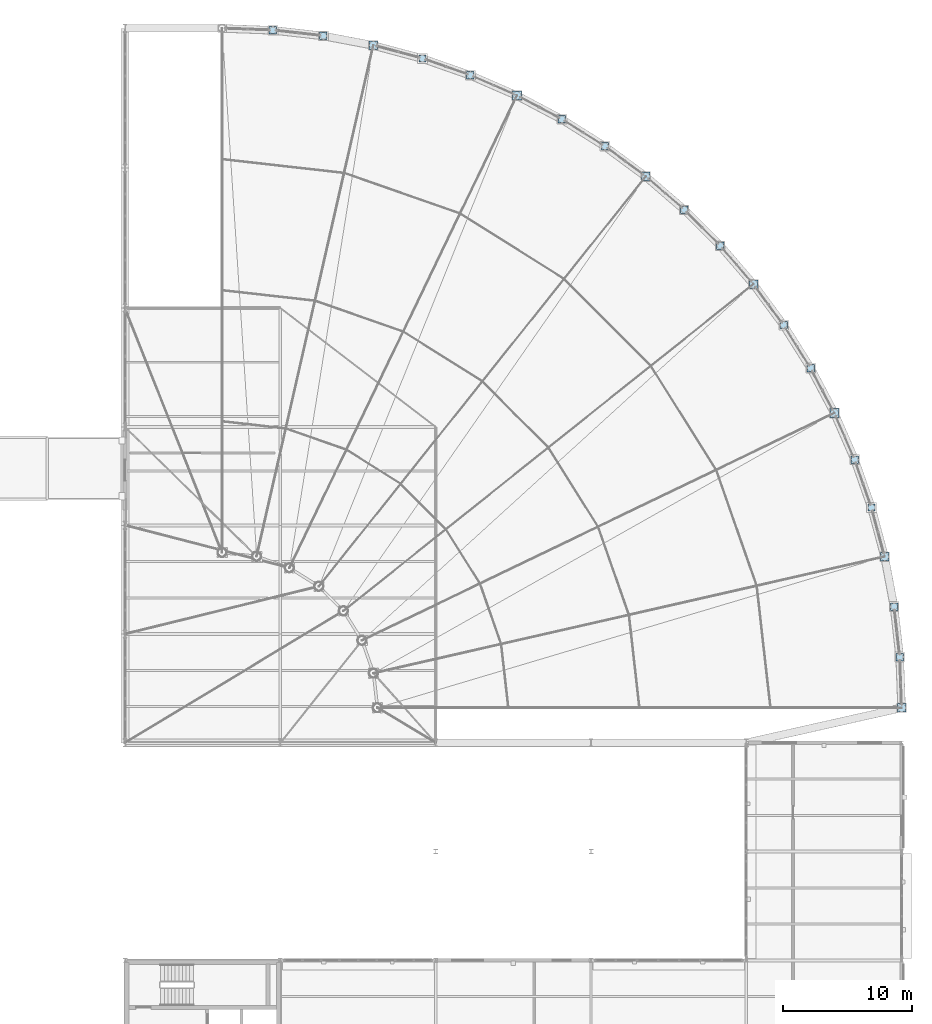
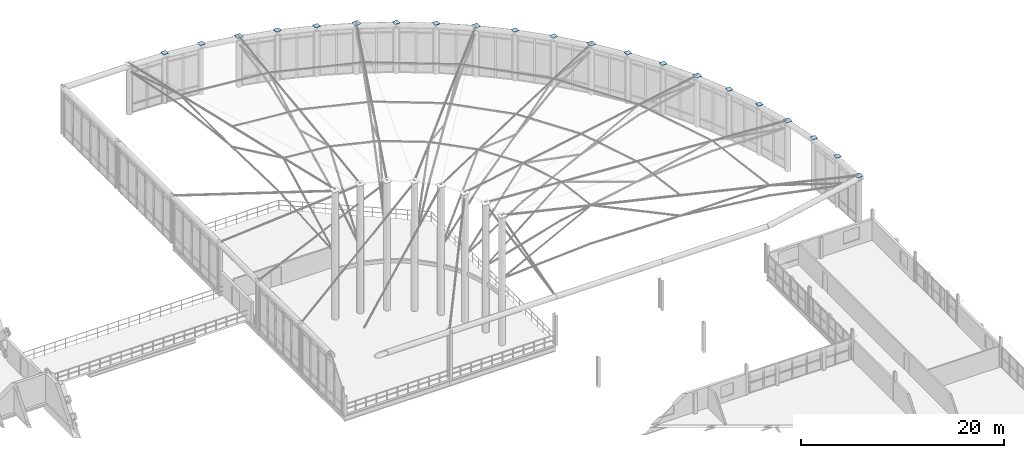
# One storey, part 83 of 101: 21 plates.
"""IFC4 building model written with IfcOpenShell, lengths in metres."""

from ifc_helpers import new_model, si_unit, direction, frame, origin, origin_2d, place, context, subcontext, project, spatial, rectangle, extrude, material, layer, layer_set, type_object, element, save


model = new_model("IFC4")

# Units and contexts
model_context = context("Model", 3, precision=1e-05, world=origin(), true_north=direction((0.0, 1.0)))
body_context = subcontext(model_context, "Body", "Model", "MODEL_VIEW")
ifc_project = project(units=[si_unit("LENGTHUNIT", "METRE"), si_unit("AREAUNIT", "SQUARE_METRE"), si_unit("VOLUMEUNIT", "CUBIC_METRE"), si_unit("PLANEANGLEUNIT", "RADIAN"), si_unit("MASSUNIT", "GRAM", prefix="KILO"), si_unit("THERMODYNAMICTEMPERATUREUNIT", "KELVIN"), si_unit("POWERUNIT", "WATT")], contexts=[model_context])

# Site, building, storey
site_placement = place(None, origin())
site = spatial("IfcSite", under=ifc_project, at=site_placement, CompositionType="ELEMENT")
building_placement = place(site_placement, origin())
building = spatial("IfcBuilding", under=site, at=building_placement, Name="Tembeka Court Mobility Hub", CompositionType="ELEMENT")
storey_placement = place(building_placement, frame((0.0, 0.0, 5.39990234375)))
storey = spatial("IfcBuildingStorey", under=building, at=storey_placement, Name="L01", CompositionType="ELEMENT", Elevation=5.39990234375)

# Plates
ifc_material = material(Name="Steel S355", Category="steel")
ifc_layer = layer(ifc_material, 0.01806640625)
ifc_layer_set = layer_set([ifc_layer], Name="Steel S355")
plate_type = type_object("IfcPlateType", Name="PL-MCP01", PredefinedType="USERDEFINED", material=ifc_layer_set)
for number, where, z_axis, x_axis, name in (
    (1, (127.8232421875, 118.6533203125, 5.9990234375), (0.0, 0.0, 1.0), (1.0, 0.0, 0.0), "Hollow column C08 top cap plate MCP01-172"),
    (2, (131.724609375, 118.213623046875, 5.9990234375), (0.0, 0.0, 1.0), (1.0, 0.0, 0.0), "Hollow column C08 top cap plate MCP01-186"),
):
    element("IfcPlate", number, at=place(storey_placement, frame(where, z_axis=z_axis, x_axis=x_axis)), inside=storey, type_object=plate_type, Name=name, ObjectType="BASE PLATE", PredefinedType="USERDEFINED", context=body_context, shape_type="SweptSolid", body=[
        extrude(rectangle(XDim=0.568115234375, YDim=0.568115234375, at=origin_2d()), origin(), (0.0, 0.0, 1.0), 0.01806640625),
    ])
plate_1_placement = place(storey_placement, frame((135.582275390625, 117.483642578125, 5.9990234375), z_axis=(0.0, 0.0, 1.0), x_axis=(1.0, 0.0, 0.0)))
element("IfcPlate", 3, at=plate_1_placement, inside=storey, type_object=plate_type, Name="Hollow column C07 top cap plate MCP01-189", ObjectType="BASE PLATE", PredefinedType="USERDEFINED", context=body_context, shape_type="SweptSolid", body=[
    extrude(rectangle(XDim=0.669921875, YDim=0.669921875, at=origin_2d()), origin(), (0.0, 0.0, 1.0), 0.01806640625),
])
for number, where, z_axis, x_axis, name in (
    (4, (139.37451171875, 116.467529296875, 5.9990234375), (0.0, 0.0, 1.0), (1.0, 0.0, 0.0), "Hollow column C08 top cap plate MCP01-192"),
    (5, (143.080322265625, 115.1708984375, 5.9990234375), (0.0, 0.0, 1.0), (1.0, 0.0, 0.0), "Hollow column C08 top cap plate MCP01-203"),
):
    element("IfcPlate", number, at=place(storey_placement, frame(where, z_axis=z_axis, x_axis=x_axis)), inside=storey, type_object=plate_type, Name=name, ObjectType="BASE PLATE", PredefinedType="USERDEFINED", context=body_context, shape_type="SweptSolid", body=[
        extrude(rectangle(XDim=0.568115234375, YDim=0.568115234375, at=origin_2d()), origin(), (0.0, 0.0, 1.0), 0.01806640625),
    ])
plate_2_placement = place(storey_placement, frame((146.678955078125, 113.600830078125, 5.9990234375), z_axis=(0.0, 0.0, 1.0), x_axis=(1.0, 0.0, 0.0)))
element("IfcPlate", 6, at=plate_2_placement, inside=storey, type_object=plate_type, Name="Hollow column C07 top cap plate MCP01-204", ObjectType="BASE PLATE", PredefinedType="USERDEFINED", context=body_context, shape_type="SweptSolid", body=[
    extrude(rectangle(XDim=0.669921875, YDim=0.669921875, at=origin_2d()), origin(), (0.0, 0.0, 1.0), 0.01806640625),
])
for number, where, z_axis, x_axis, name in (
    (7, (150.14990234375, 111.766357421875, 5.9990234375), (0.0, 0.0, 1.0), (1.0, 0.0, 0.0), "Hollow column C08 top cap plate MCP01-205"),
    (8, (153.474365234375, 109.677490234375, 5.9990234375), (0.0, 0.0, 1.0), (1.0, 0.0, 0.0), "Hollow column C08 top cap plate MCP01-216"),
):
    element("IfcPlate", number, at=place(storey_placement, frame(where, z_axis=z_axis, x_axis=x_axis)), inside=storey, type_object=plate_type, Name=name, ObjectType="BASE PLATE", PredefinedType="USERDEFINED", context=body_context, shape_type="SweptSolid", body=[
        extrude(rectangle(XDim=0.568115234375, YDim=0.568115234375, at=origin_2d()), origin(), (0.0, 0.0, 1.0), 0.01806640625),
    ])
plate_3_placement = place(storey_placement, frame((156.63330078125, 107.34619140625, 5.9990234375), z_axis=(0.0, 0.0, 1.0), x_axis=(1.0, 0.0, 0.0)))
element("IfcPlate", 9, at=plate_3_placement, inside=storey, type_object=plate_type, Name="Hollow column C07 top cap plate MCP01-217", ObjectType="BASE PLATE", PredefinedType="USERDEFINED", context=body_context, shape_type="SweptSolid", body=[
    extrude(rectangle(XDim=0.669921875, YDim=0.669921875, at=origin_2d()), origin(), (0.0, 0.0, 1.0), 0.01806640625),
])
for number, where, z_axis, x_axis, name in (
    (10, (159.609130859375, 104.78515625, 5.9990234375), (0.0, 0.0, 1.0), (1.0, 0.0, 0.0), "Hollow column C08 top cap plate MCP01-218"),
    (11, (162.38525390625, 102.009033203125, 5.9990234375), (0.0, 0.0, 1.0), (1.0, 0.0, 0.0), "Hollow column C08 top cap plate MCP01-219"),
):
    element("IfcPlate", number, at=place(storey_placement, frame(where, z_axis=z_axis, x_axis=x_axis)), inside=storey, type_object=plate_type, Name=name, ObjectType="BASE PLATE", PredefinedType="USERDEFINED", context=body_context, shape_type="SweptSolid", body=[
        extrude(rectangle(XDim=0.568115234375, YDim=0.568115234375, at=origin_2d()), origin(), (0.0, 0.0, 1.0), 0.01806640625),
    ])
plate_4_placement = place(storey_placement, frame((164.9462890625, 99.033203125, 5.9990234375), z_axis=(0.0, 0.0, 1.0), x_axis=(1.0, 0.0, 0.0)))
element("IfcPlate", 12, at=plate_4_placement, inside=storey, type_object=plate_type, Name="Hollow column C07 top cap plate MCP01-230", ObjectType="BASE PLATE", PredefinedType="USERDEFINED", context=body_context, shape_type="SweptSolid", body=[
    extrude(rectangle(XDim=0.669921875, YDim=0.669921875, at=origin_2d()), origin(), (0.0, 0.0, 1.0), 0.01806640625),
])
for number, where, z_axis, x_axis, name in (
    (13, (167.277587890625, 95.874267578125, 5.9990234375), (0.0, 0.0, 1.0), (1.0, 0.0, 0.0), "Hollow column C08 top cap plate MCP01-231"),
    (14, (169.3662109375, 92.550048828125, 5.9990234375), (0.0, 0.0, 1.0), (1.0, 0.0, 0.0), "Hollow column C08 top cap plate MCP01-232"),
):
    element("IfcPlate", number, at=place(storey_placement, frame(where, z_axis=z_axis, x_axis=x_axis)), inside=storey, type_object=plate_type, Name=name, ObjectType="BASE PLATE", PredefinedType="USERDEFINED", context=body_context, shape_type="SweptSolid", body=[
        extrude(rectangle(XDim=0.568115234375, YDim=0.568115234375, at=origin_2d()), origin(), (0.0, 0.0, 1.0), 0.01806640625),
    ])
plate_5_placement = place(storey_placement, frame((171.200927734375, 89.078857421875, 5.9990234375), z_axis=(0.0, 0.0, 1.0), x_axis=(1.0, 0.0, 0.0)))
element("IfcPlate", 15, at=plate_5_placement, inside=storey, type_object=plate_type, Name="Hollow column C07 top cap plate MCP01-233", ObjectType="BASE PLATE", PredefinedType="USERDEFINED", context=body_context, shape_type="SweptSolid", body=[
    extrude(rectangle(XDim=0.669921875, YDim=0.669921875, at=origin_2d()), origin(), (0.0, 0.0, 1.0), 0.01806640625),
])
for number, where, z_axis, x_axis, name in (
    (16, (172.77099609375, 85.48046875, 5.9990234375), (0.0, 0.0, 1.0), (1.0, 0.0, 0.0), "Hollow column C08 top cap plate MCP01-234"),
    (17, (174.067626953125, 81.774658203125, 5.9990234375), (0.0, 0.0, 1.0), (1.0, 0.0, 0.0), "Hollow column C08 top cap plate MCP01-235"),
):
    element("IfcPlate", number, at=place(storey_placement, frame(where, z_axis=z_axis, x_axis=x_axis)), inside=storey, type_object=plate_type, Name=name, ObjectType="BASE PLATE", PredefinedType="USERDEFINED", context=body_context, shape_type="SweptSolid", body=[
        extrude(rectangle(XDim=0.568115234375, YDim=0.568115234375, at=origin_2d()), origin(), (0.0, 0.0, 1.0), 0.01806640625),
    ])
plate_6_placement = place(storey_placement, frame((175.083740234375, 77.982421875, 5.9990234375), z_axis=(0.0, 0.0, 1.0), x_axis=(1.0, 0.0, 0.0)))
element("IfcPlate", 18, at=plate_6_placement, inside=storey, type_object=plate_type, Name="Hollow column C07 top cap plate MCP01-236", ObjectType="BASE PLATE", PredefinedType="USERDEFINED", context=body_context, shape_type="SweptSolid", body=[
    extrude(rectangle(XDim=0.669921875, YDim=0.669921875, at=origin_2d()), origin(), (0.0, 0.0, 1.0), 0.01806640625),
])
for number, where, z_axis, x_axis, name in (
    (19, (175.813720703125, 74.124755859375, 5.9990234375), (0.0, 0.0, 1.0), (1.0, 0.0, 0.0), "Hollow column C08 top cap plate MCP01-237"),
    (20, (176.253173828125, 70.223388671875, 5.9990234375), (0.0, 0.0, 1.0), (1.0, 0.0, 0.0), "Hollow column C08 top cap plate MCP01-238"),
):
    element("IfcPlate", number, at=place(storey_placement, frame(where, z_axis=z_axis, x_axis=x_axis)), inside=storey, type_object=plate_type, Name=name, ObjectType="BASE PLATE", PredefinedType="USERDEFINED", context=body_context, shape_type="SweptSolid", body=[
        extrude(rectangle(XDim=0.568115234375, YDim=0.568115234375, at=origin_2d()), origin(), (0.0, 0.0, 1.0), 0.01806640625),
    ])
plate_7_placement = place(storey_placement, frame((176.39990234375, 66.300048828125, 5.9990234375), z_axis=(0.0, 0.0, 1.0), x_axis=(1.0, 0.0, 0.0)))
element("IfcPlate", 21, at=plate_7_placement, inside=storey, type_object=plate_type, Name="Hollow column C07 top cap plate MCP01-246", ObjectType="BASE PLATE", PredefinedType="USERDEFINED", context=body_context, shape_type="SweptSolid", body=[
    extrude(rectangle(XDim=0.669921875, YDim=0.669921875, at=origin_2d()), origin(), (0.0, 0.0, 1.0), 0.01806640625),
])

save(model, "model.ifc")
